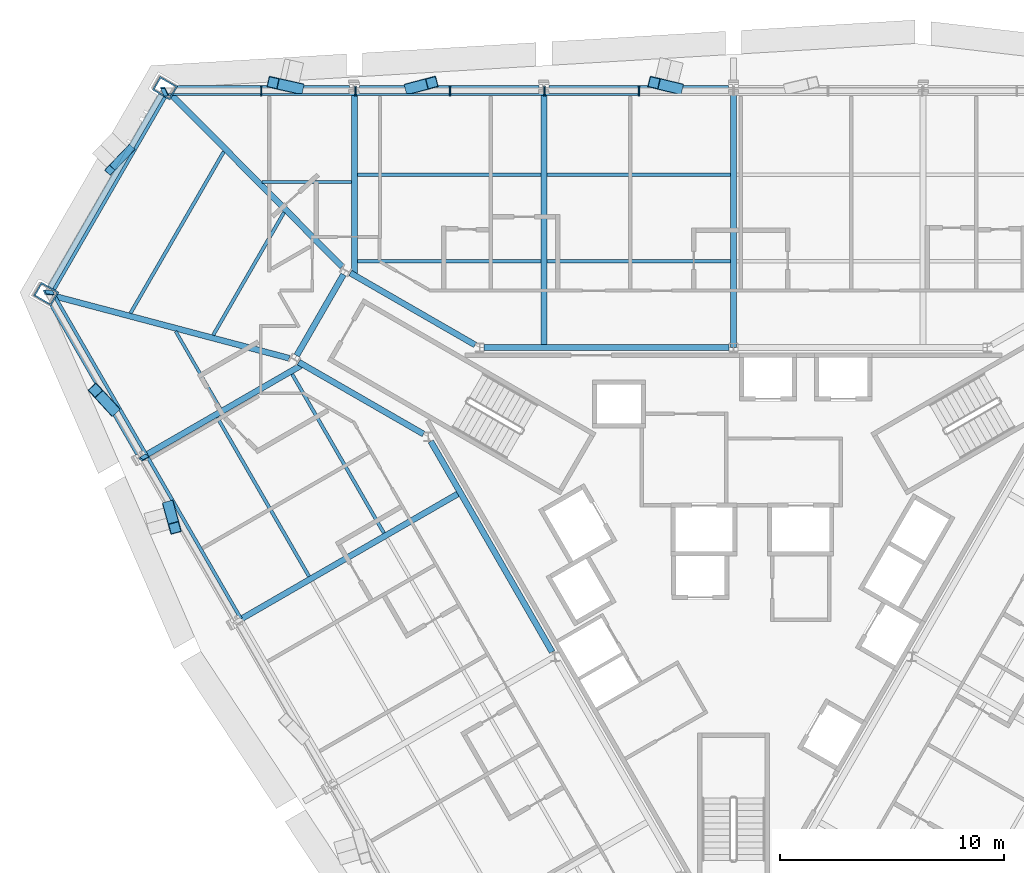
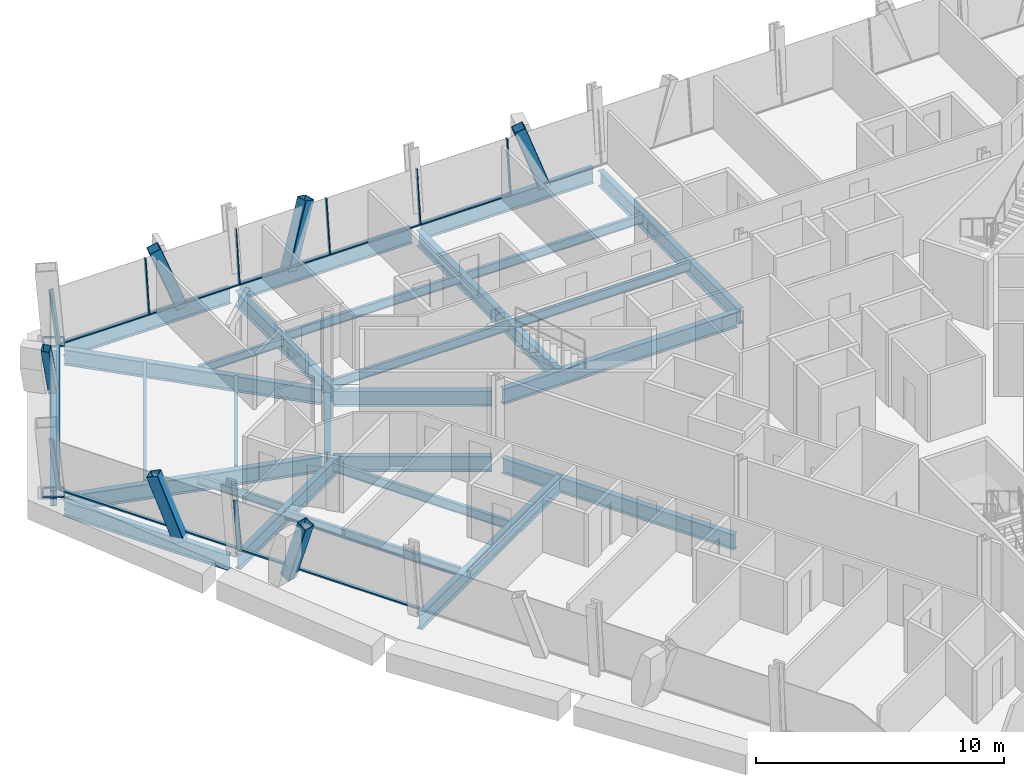
# One storey, part 4 of 15: 27 beams, 24 members, 3 elements without a shape of their own.
"""IFC4 building model written with IfcOpenShell, lengths in metres."""

from ifc_helpers import new_model, si_unit, direction, frame, origin, origin_2d, place, context, subcontext, project, spatial, rectangle, hollow_rectangle, i_section, extrude, material, material_profile, profile_set, type_object, element, aggregate, save


model = new_model("IFC4")

# Units and contexts
model_context = context("Model", 3, precision=1e-05, world=origin(), true_north=direction((0.0, 1.0)))
body_context = subcontext(model_context, "Body", "Model", "MODEL_VIEW")
ifc_project = project(units=[si_unit("LENGTHUNIT", "METRE"), si_unit("AREAUNIT", "SQUARE_METRE"), si_unit("VOLUMEUNIT", "CUBIC_METRE"), si_unit("PLANEANGLEUNIT", "RADIAN"), si_unit("MASSUNIT", "GRAM", prefix="KILO")], contexts=[model_context])

# Site, building, storey
site_placement = place(None, origin())
site = spatial("IfcSite", under=ifc_project, at=site_placement, CompositionType="ELEMENT")
building_placement = place(site_placement, origin())
building = spatial("IfcBuilding", under=site, at=building_placement, Name="Verrane Prism Tower", CompositionType="ELEMENT")
storey_placement = place(building_placement, frame((0.0, 0.0, 44.0)))
storey = spatial("IfcBuildingStorey", under=building, at=storey_placement, Name="L08", CompositionType="ELEMENT", Elevation=44.0)

# Member
ifc_material_1 = material(Name="Steel A500 Grade C", Category="steel")
ifc_material_profile_1 = material_profile(ifc_material_1, hollow_rectangle(XDim=0.355712890625, YDim=0.355712890625, WallThickness=0.0126953125, InnerFilletRadius=0.00634765625, OuterFilletRadius=0.01904296875, at=origin_2d()), Name="HSS14x14x1/2")
ifc_profile_set_1 = profile_set([ifc_material_profile_1], Name="Steel A500 Grade C")
member_type_1 = type_object("IfcMemberType", Name="Chamfer brace HSS14x14x1/2", PredefinedType="BRACE", material=ifc_profile_set_1)
member_1_placement = place(storey_placement, frame((-26.946044921875, 18.0400390625, -0.2451171875), z_axis=(-0.271486195866, -0.283524002954, 0.919733322873), x_axis=(0.722273594604, -0.691607442512, 0.0)))
element("IfcMember", 1, at=member_1_placement, inside=storey, type_object=member_type_1, Name="Chamfer brace NW0 L08", PredefinedType="BRACE", context=body_context, shape_type="SweptSolid", body=[
    extrude(hollow_rectangle(XDim=0.355712890625, YDim=0.355712890625, WallThickness=0.0126953125, InnerFilletRadius=0.00634765625, OuterFilletRadius=0.01904296875, at=origin_2d()), origin(), (0.0, 0.0, 1.0), 3.265380859375),
])

# Beams
ifc_material_2 = material(Name="Steel A992", Category="steel")
ifc_material_profile_2 = material_profile(ifc_material_2, i_section(OverallWidth=0.2666015625, OverallDepth=0.76708984375, WebThickness=0.014892578125, FlangeThickness=0.023681640625, FilletRadius=0.0166015625, at=origin_2d()), Name="W30x124")
ifc_profile_set_2 = profile_set([ifc_material_profile_2], Name="Steel A992")
beam_type_1 = type_object("IfcBeamType", Name="Chamfer spandrel beam W30x124", PredefinedType="SPANDREL", material=ifc_profile_set_2)
beam_1_placement = place(storey_placement, frame((-25.544921875, 20.466796875, -0.54345703125), z_axis=(-0.500011342071, -0.866018855338, 0.0), x_axis=(0.866018855338, -0.500011342071, 0.0)))
element("IfcBeam", 2, at=beam_1_placement, inside=storey, type_object=beam_type_1, Name="Chamfer spandrel beam L08", PredefinedType="SPANDREL", context=body_context, shape_type="SweptSolid", body=[
    extrude(i_section(OverallWidth=0.2666015625, OverallDepth=0.76708984375, WebThickness=0.014892578125, FlangeThickness=0.023681640625, FilletRadius=0.0166015625, at=origin_2d()), origin(), (0.0, 0.0, 1.0), 9.900146484375),
])
ifc_material_3 = material(Name="Steel A992", Category="steel")
ifc_material_profile_3 = material_profile(ifc_material_3, i_section(OverallWidth=0.2666015625, OverallDepth=0.7568359375, WebThickness=0.013916015625, FlangeThickness=0.019287109375, FilletRadius=0.0166015625, at=origin_2d()), Name="W30x108")
ifc_profile_set_3 = profile_set([ifc_material_profile_3], Name="Steel A992")
beam_type_2 = type_object("IfcBeamType", Name="Core ring girder W30x108", PredefinedType="BEAM", material=ifc_profile_set_3)
beam_2_placement = place(storey_placement, frame((-0.203125, 9.199951171875, -0.62841796875), z_axis=(-1.0, 0.0, 0.0), x_axis=(0.0, -1.0, 0.0)))
element("IfcBeam", 3, at=beam_2_placement, inside=storey, type_object=beam_type_2, Name="Core ring girder L08", PredefinedType="BEAM", context=body_context, shape_type="SweptSolid", body=[
    extrude(i_section(OverallWidth=0.2666015625, OverallDepth=0.7568359375, WebThickness=0.013916015625, FlangeThickness=0.019287109375, FilletRadius=0.0166015625, at=origin_2d()), origin(), (0.0, 0.0, 1.0), 10.923583984375),
])
beam_3_placement = place(storey_placement, frame((-11.533203125, 9.317138671875, -0.62841796875), z_axis=(-0.866447229751, 0.499268663203, 0.0), x_axis=(-0.499268663203, -0.866447229751, 0.0)))
element("IfcBeam", 4, at=beam_3_placement, inside=storey, type_object=beam_type_2, Name="Core ring girder L08", PredefinedType="BEAM", context=body_context, shape_type="SweptSolid", body=[
    extrude(i_section(OverallWidth=0.2666015625, OverallDepth=0.7568359375, WebThickness=0.013916015625, FlangeThickness=0.019287109375, FilletRadius=0.0166015625, at=origin_2d()), origin(), (0.0, 0.0, 1.0), 6.428466796875),
])
beam_4_placement = place(storey_placement, frame((-17.40478515625, 12.45849609375, -0.62841796875), z_axis=(-0.500349643494, -0.865823442888, 0.0), x_axis=(0.865823442888, -0.500349643494, 0.0)))
element("IfcBeam", 5, at=beam_4_placement, inside=storey, type_object=beam_type_2, Name="Core ring girder L08", PredefinedType="BEAM", context=body_context, shape_type="SweptSolid", body=[
    extrude(i_section(OverallWidth=0.2666015625, OverallDepth=0.7568359375, WebThickness=0.013916015625, FlangeThickness=0.019287109375, FilletRadius=0.0166015625, at=origin_2d()), origin(), (0.0, 0.0, 1.0), 4.177734375),
])
beam_5_placement = place(storey_placement, frame((-19.403076171875, 8.54638671875, -0.62841796875), z_axis=(0.86646365882, -0.499240150574, 0.0), x_axis=(0.499240150574, 0.86646365882, 0.0)))
element("IfcBeam", 6, at=beam_5_placement, inside=storey, type_object=beam_type_2, Name="Core ring girder L08", PredefinedType="BEAM", context=body_context, shape_type="SweptSolid", body=[
    extrude(i_section(OverallWidth=0.2666015625, OverallDepth=0.7568359375, WebThickness=0.013916015625, FlangeThickness=0.019287109375, FilletRadius=0.0166015625, at=origin_2d()), origin(), (0.0, 0.0, 1.0), 6.42822265625),
])
beam_6_placement = place(storey_placement, frame((-13.510009765625, 5.01171875, -0.62841796875), z_axis=(0.499371892062, -0.866387738498, 0.0), x_axis=(0.866387738498, 0.499371892062, 0.0)))
element("IfcBeam", 7, at=beam_6_placement, inside=storey, type_object=beam_type_2, Name="Core ring girder L08", PredefinedType="BEAM", context=body_context, shape_type="SweptSolid", body=[
    extrude(i_section(OverallWidth=0.2666015625, OverallDepth=0.7568359375, WebThickness=0.013916015625, FlangeThickness=0.019287109375, FilletRadius=0.0166015625, at=origin_2d()), origin(), (0.0, 0.0, 1.0), 10.853515625),
])
ifc_material_4 = material(Name="Steel A992", Category="steel")
ifc_material_profile_4 = material_profile(ifc_material_4, i_section(OverallWidth=0.2666015625, OverallDepth=0.76708984375, WebThickness=0.014892578125, FlangeThickness=0.023681640625, FilletRadius=0.0166015625, at=origin_2d()), Name="W30x124")
ifc_profile_set_4 = profile_set([ifc_material_profile_4], Name="Steel A992")
beam_type_3 = type_object("IfcBeamType", Name="Corner girder W30x124", PredefinedType="BEAM", material=ifc_profile_set_4)
beam_7_placement = place(storey_placement, frame((-25.04150390625, 20.43896484375, -0.603515625), z_axis=(0.704479617192, -0.709724220356, 0.0), x_axis=(0.709724220356, 0.704479617192, 0.0)))
element("IfcBeam", 8, at=beam_7_placement, inside=storey, type_object=beam_type_3, Name="Corner girder L08", PredefinedType="BEAM", context=body_context, shape_type="SweptSolid", body=[
    extrude(i_section(OverallWidth=0.2666015625, OverallDepth=0.76708984375, WebThickness=0.014892578125, FlangeThickness=0.023681640625, FilletRadius=0.0166015625, at=origin_2d()), origin(), (0.0, 0.0, 1.0), 10.753173828125),
])
beam_8_placement = place(storey_placement, frame((-30.21923828125, 11.470703125, -0.603515625), z_axis=(0.966710515477, -0.255872584047, 0.0), x_axis=(0.255872584047, 0.966710515477, 0.0)))
element("IfcBeam", 9, at=beam_8_placement, inside=storey, type_object=beam_type_3, Name="Corner girder L08", PredefinedType="BEAM", context=body_context, shape_type="SweptSolid", body=[
    extrude(i_section(OverallWidth=0.2666015625, OverallDepth=0.76708984375, WebThickness=0.014892578125, FlangeThickness=0.023681640625, FilletRadius=0.0166015625, at=origin_2d()), origin(), (0.0, 0.0, 1.0), 10.74951171875),
])

# Members
ifc_material_5 = material(Name="Steel A1085 Grade A", Category="steel")
ifc_material_profile_5 = material_profile(ifc_material_5, hollow_rectangle(XDim=0.508056640625, YDim=0.508056640625, WallThickness=0.025390625, InnerFilletRadius=0.0126953125, OuterFilletRadius=0.0380859375, at=origin_2d()), Name="HSS20x20x1")
ifc_profile_set_5 = profile_set([ifc_material_profile_5], Name="Steel A1085 Grade A")
member_type_2 = type_object("IfcMemberType", Name="Facade brace HSS20x20x1", PredefinedType="BRACE", material=ifc_profile_set_5)
member_2_placement = place(storey_placement, frame((-2.518310546875, 20.77001953125, -0.24267578125), z_axis=(-0.322257021008, 0.0781716366, 0.94341910498), x_axis=(-0.235738797585, -0.97181645351, 0.0)))
element("IfcMember", 10, at=member_2_placement, inside=storey, type_object=member_type_2, Name="Facade brace N3 L08", PredefinedType="BRACE", context=body_context, shape_type="SweptSolid", body=[
    extrude(hollow_rectangle(XDim=0.508056640625, YDim=0.508056640625, WallThickness=0.025390625, InnerFilletRadius=0.0126953125, OuterFilletRadius=0.0380859375, at=origin_2d()), origin(), (0.0, 0.0, 1.0), 3.188720703125),
])
member_3_placement = place(storey_placement, frame((-14.40966796875, 20.77001953125, -0.24267578125), z_axis=(0.29976338751, 0.078779515739, 0.950755330991), x_axis=(-0.254174685157, 0.967158326969, 0.0)))
element("IfcMember", 11, at=member_3_placement, inside=storey, type_object=member_type_2, Name="Facade brace N4 L08", PredefinedType="BRACE", context=body_context, shape_type="SweptSolid", body=[
    extrude(hollow_rectangle(XDim=0.508056640625, YDim=0.508056640625, WallThickness=0.025390625, InnerFilletRadius=0.0126953125, OuterFilletRadius=0.0380859375, at=origin_2d()), origin(), (0.0, 0.0, 1.0), 3.1640625),
])
member_4_placement = place(storey_placement, frame((-19.443115234375, 20.77001953125, -0.24267578125), z_axis=(-0.343950028265, 0.077538745608, 0.93578102192), x_axis=(-0.219917080703, -0.975518568565, 0.0)))
element("IfcMember", 12, at=member_4_placement, inside=storey, type_object=member_type_2, Name="Facade brace N5 L08", PredefinedType="BRACE", context=body_context, shape_type="SweptSolid", body=[
    extrude(hollow_rectangle(XDim=0.508056640625, YDim=0.508056640625, WallThickness=0.025390625, InnerFilletRadius=0.0126953125, OuterFilletRadius=0.0380859375, at=origin_2d()), origin(), (0.0, 0.0, 1.0), 3.21484375),
])
member_5_placement = place(storey_placement, frame((-27.7099609375, 6.45556640625, -0.24267578125), z_axis=(-0.238271330375, 0.259386864275, 0.93591945581), x_axis=(-0.736446565532, -0.676495717737, 0.0)))
element("IfcMember", 13, at=member_5_placement, inside=storey, type_object=member_type_2, Name="Facade brace SW0 L08", PredefinedType="BRACE", context=body_context, shape_type="SweptSolid", body=[
    extrude(hollow_rectangle(XDim=0.508056640625, YDim=0.508056640625, WallThickness=0.025390625, InnerFilletRadius=0.0126953125, OuterFilletRadius=0.0380859375, at=origin_2d()), origin(), (0.0, 0.0, 1.0), 3.21435546875),
])
member_6_placement = place(storey_placement, frame((-25.19482421875, 2.094970703125, -0.24267578125), z_axis=(0.082410447534, -0.298622127301, 0.950806680258), x_axis=(0.963966190973, 0.266024778284, 0.0)))
element("IfcMember", 14, at=member_6_placement, inside=storey, type_object=member_type_2, Name="Facade brace SW1 L08", PredefinedType="BRACE", context=body_context, shape_type="SweptSolid", body=[
    extrude(hollow_rectangle(XDim=0.508056640625, YDim=0.508056640625, WallThickness=0.025390625, InnerFilletRadius=0.0126953125, OuterFilletRadius=0.0380859375, at=origin_2d()), origin(), (0.0, 0.0, 1.0), 3.1640625),
])

# Beams
ifc_material_6 = material(Name="Steel A992", Category="steel")
ifc_material_profile_6 = material_profile(ifc_material_6, i_section(OverallWidth=0.140380859375, OverallDepth=0.40380859375, WebThickness=0.007080078125, FlangeThickness=0.01123046875, FilletRadius=0.01025390625, at=origin_2d()), Name="W16x31")
ifc_profile_set_6 = profile_set([ifc_material_profile_6], Name="Steel A992")
beam_type_4 = type_object("IfcBeamType", Name="Floor beam W16x31", PredefinedType="BEAM", material=ifc_profile_set_6)
beam_9_placement = place(storey_placement, frame((-21.03759765625, 16.594970703125, -0.36181640625), z_axis=(1.0, 0.0, 0.0), x_axis=(0.0, 1.0, 0.0)))
element("IfcBeam", 15, at=beam_9_placement, inside=storey, type_object=beam_type_4, Name="Floor beam L08", PredefinedType="BEAM", context=body_context, shape_type="SweptSolid", body=[
    extrude(i_section(OverallWidth=0.140380859375, OverallDepth=0.40380859375, WebThickness=0.007080078125, FlangeThickness=0.01123046875, FilletRadius=0.01025390625, at=origin_2d()), origin(), (0.0, 0.0, 1.0), 3.984130859375),
])
beam_10_placement = place(storey_placement, frame((-22.90185546875, 6.470703125, -0.36181640625), z_axis=(-0.500005166599, 0.866022420826, 0.0), x_axis=(-0.866022420826, -0.500005166599, 0.0)))
element("IfcBeam", 16, at=beam_10_placement, inside=storey, type_object=beam_type_4, Name="Floor beam L08", PredefinedType="BEAM", context=body_context, shape_type="SweptSolid", body=[
    extrude(i_section(OverallWidth=0.140380859375, OverallDepth=0.40380859375, WebThickness=0.007080078125, FlangeThickness=0.01123046875, FilletRadius=0.01025390625, at=origin_2d()), origin(), (0.0, 0.0, 1.0), 3.98681640625),
])
ifc_material_7 = material(Name="Steel A992", Category="steel")
ifc_material_profile_7 = material_profile(ifc_material_7, i_section(OverallWidth=0.15234375, OverallDepth=0.449462890625, WebThickness=0.007568359375, FlangeThickness=0.0107421875, FilletRadius=0.01025390625, at=origin_2d()), Name="W18x35")
ifc_profile_set_7 = profile_set([ifc_material_profile_7], Name="Steel A992")
beam_type_5 = type_object("IfcBeamType", Name="Floor beam W18x35", PredefinedType="BEAM", material=ifc_profile_set_7)
for number, where, z_axis, x_axis, name in (
    (17, (-8.326416015625, 13.056640625, -0.384765625), (1.0, 0.0, 0.0), (0.0, 1.0, 0.0), "Floor beam L08"),
    (18, (-8.326416015625, 16.913330078125, -0.384765625), (1.0, 0.0, 0.0), (0.0, 1.0, 0.0), "Floor beam L08"),
):
    element("IfcBeam", number, at=place(storey_placement, frame(where, z_axis=z_axis, x_axis=x_axis)), inside=storey, type_object=beam_type_5, Name=name, PredefinedType="BEAM", context=body_context, shape_type="SweptSolid", body=[
        extrude(i_section(OverallWidth=0.15234375, OverallDepth=0.449462890625, WebThickness=0.007568359375, FlangeThickness=0.0107421875, FilletRadius=0.01025390625, at=origin_2d()), origin(), (0.0, 0.0, 1.0), 8.19287109375),
    ])
for number, where, z_axis, x_axis, name in (
    (19, (-16.78662109375, 13.056640625, -0.384765625), (1.0, 0.0, 0.0), (0.0, 1.0, 0.0), "Floor beam L08"),
    (20, (-16.78662109375, 16.913330078125, -0.384765625), (1.0, 0.0, 0.0), (0.0, 1.0, 0.0), "Floor beam L08"),
    (21, (-15.60009765625, 0.91552734375, -0.384765625), (-0.49998813555, 0.86603225362, 0.0), (-0.86603225362, -0.49998813555, 0.0), "Floor beam L08"),
):
    element("IfcBeam", number, at=place(storey_placement, frame(where, z_axis=z_axis, x_axis=x_axis)), inside=storey, type_object=beam_type_5, Name=name, PredefinedType="BEAM", context=body_context, shape_type="SweptSolid", body=[
        extrude(i_section(OverallWidth=0.15234375, OverallDepth=0.449462890625, WebThickness=0.007568359375, FlangeThickness=0.0107421875, FilletRadius=0.01025390625, at=origin_2d()), origin(), (0.0, 0.0, 1.0), 8.193115234375),
    ])
beam_11_placement = place(storey_placement, frame((-18.943359375, -1.014404296875, -0.384765625), z_axis=(-0.500013012896, 0.866017890655, 0.0), x_axis=(-0.866017890655, -0.500013012896, 0.0)))
element("IfcBeam", 22, at=beam_11_placement, inside=storey, type_object=beam_type_5, Name="Floor beam L08", PredefinedType="BEAM", context=body_context, shape_type="SweptSolid", body=[
    extrude(i_section(OverallWidth=0.15234375, OverallDepth=0.449462890625, WebThickness=0.007568359375, FlangeThickness=0.0107421875, FilletRadius=0.01025390625, at=origin_2d()), origin(), (0.0, 0.0, 1.0), 8.194580078125),
])
beam_12_placement = place(storey_placement, frame((-23.219482421875, 9.756103515625, -0.384765625), z_axis=(0.499989926711, 0.866031219522, 0.0), x_axis=(-0.866031219522, 0.499989926711, 0.0)))
element("IfcBeam", 23, at=beam_12_placement, inside=storey, type_object=beam_type_5, Name="Floor beam L08", PredefinedType="BEAM", context=body_context, shape_type="SweptSolid", body=[
    extrude(i_section(OverallWidth=0.15234375, OverallDepth=0.449462890625, WebThickness=0.007568359375, FlangeThickness=0.0107421875, FilletRadius=0.01025390625, at=origin_2d()), origin(), (0.0, 0.0, 1.0), 6.321044921875),
])
beam_13_placement = place(storey_placement, frame((-26.910400390625, 10.73291015625, -0.384765625), z_axis=(0.500000939553, 0.866024861332, 0.0), x_axis=(-0.866024861332, 0.500000939553, 0.0)))
element("IfcBeam", 24, at=beam_13_placement, inside=storey, type_object=beam_type_5, Name="Floor beam L08", PredefinedType="BEAM", context=body_context, shape_type="SweptSolid", body=[
    extrude(i_section(OverallWidth=0.15234375, OverallDepth=0.449462890625, WebThickness=0.007568359375, FlangeThickness=0.0107421875, FilletRadius=0.01025390625, at=origin_2d()), origin(), (0.0, 0.0, 1.0), 8.322265625),
])

# Members
ifc_material_8 = material(Name="Steel A572 Grade 50", Category="steel")
ifc_material_profile_8 = material_profile(ifc_material_8, hollow_rectangle(XDim=0.699951171875, YDim=0.89990234375, WallThickness=0.06494140625, at=origin_2d()), Name="BOX 900x700x65")
ifc_profile_set_8 = profile_set([ifc_material_profile_8], Name="Steel A572 Grade 50")
member_type_3 = type_object("IfcMemberType", Name="Kink node BOX 900x700x65", PredefinedType="COLLAR", material=ifc_profile_set_8)
for number, where, z_axis, x_axis, name in (
    (25, (-25.37109375, 20.771728515625, -0.0400390625), (0.0, 0.0, 1.0), (0.5, 0.866025403784, 0.0), "Kink node MC3 L08"),
    (26, (-30.672119140625, 11.590087890625, -0.0400390625), (0.0, 0.0, 1.0), (0.5, 0.866025403784, 0.0), "Kink node MC3 L08"),
):
    element("IfcMember", number, at=place(storey_placement, frame(where, z_axis=z_axis, x_axis=x_axis)), inside=storey, type_object=member_type_3, Name=name, PredefinedType="COLLAR", context=body_context, shape_type="SweptSolid", body=[
        extrude(hollow_rectangle(XDim=0.699951171875, YDim=0.89990234375, WallThickness=0.06494140625, at=origin_2d()), origin(), (0.0, 0.0, 1.0), 0.080078125),
    ])

# Curtain wall, members
ifc_material_9 = material(Name="Aluminium framed insulated glazing", Category="aluminium")
curtain_wall_type_1 = type_object("IfcCurtainWallType", Name="Curtain wall CW-C 4200 module", PredefinedType="NOTDEFINED", material=ifc_material_9)
curtain_wall_1_placement = place(storey_placement, origin())
curtain_wall_1 = element("IfcCurtainWall", 27, at=curtain_wall_1_placement, inside=storey, type_object=curtain_wall_type_1, Name="Glazed curtain wall north face L08", PredefinedType="NOTDEFINED")
ifc_material_10 = material(Name="Aluminium alloy 6063-T6", Category="aluminium")
ifc_material_profile_9 = material_profile(ifc_material_10, rectangle(XDim=0.139892578125, YDim=0.050048828125, at=origin_2d()), Name="Mullion 50x140 aluminium")
ifc_profile_set_9 = profile_set([ifc_material_profile_9], Name="Aluminium alloy 6063-T6")
member_type_4 = type_object("IfcMemberType", Name="Mullion 50x140 aluminium", PredefinedType="MULLION", material=ifc_profile_set_9)
member_7_placement = place(storey_placement, frame((-4.217041015625, 20.490966796875, 0.0), z_axis=(0.0, 0.114088521093, 0.993470588067), x_axis=(0.0, 0.993470588067, -0.114088521093)))
member_7 = element("IfcMember", 28, at=member_7_placement, type_object=member_type_4, Name="CW06.2 mullion 8", PredefinedType="MULLION", context=body_context, shape_type="SweptSolid", body=[
    extrude(rectangle(XDim=0.139892578125, YDim=0.050048828125, at=origin_2d()), origin(), (0.0, 0.0, 1.0), 2.6298828125),
])
member_8_placement = place(storey_placement, frame((-8.433837890625, 20.490966796875, 0.0), z_axis=(0.0, 0.114088521093, 0.993470588067), x_axis=(0.0, 0.993470588067, -0.114088521093)))
member_8 = element("IfcMember", 29, at=member_8_placement, type_object=member_type_4, Name="CW06.2 mullion 9", PredefinedType="MULLION", context=body_context, shape_type="SweptSolid", body=[
    extrude(rectangle(XDim=0.139892578125, YDim=0.050048828125, at=origin_2d()), origin(), (0.0, 0.0, 1.0), 2.6298828125),
])
member_9_placement = place(storey_placement, frame((-12.65087890625, 20.490966796875, 0.0), z_axis=(0.0, 0.114088521093, 0.993470588067), x_axis=(0.0, 0.993470588067, -0.114088521093)))
member_9 = element("IfcMember", 30, at=member_9_placement, type_object=member_type_4, Name="CW06.2 mullion 10", PredefinedType="MULLION", context=body_context, shape_type="SweptSolid", body=[
    extrude(rectangle(XDim=0.139892578125, YDim=0.050048828125, at=origin_2d()), origin(), (0.0, 0.0, 1.0), 2.6298828125),
])
member_10_placement = place(storey_placement, frame((-16.86767578125, 20.490966796875, 0.0), z_axis=(0.0, 0.114088521093, 0.993470588067), x_axis=(0.0, 0.993470588067, -0.114088521093)))
member_10 = element("IfcMember", 31, at=member_10_placement, type_object=member_type_4, Name="CW06.2 mullion 11", PredefinedType="MULLION", context=body_context, shape_type="SweptSolid", body=[
    extrude(rectangle(XDim=0.139892578125, YDim=0.050048828125, at=origin_2d()), origin(), (0.0, 0.0, 1.0), 2.6298828125),
])
member_11_placement = place(storey_placement, frame((-21.084716796875, 20.490966796875, 0.0), z_axis=(0.0, 0.114088521093, 0.993470588067), x_axis=(0.0, 0.993470588067, -0.114088521093)))
member_11 = element("IfcMember", 32, at=member_11_placement, type_object=member_type_4, Name="CW06.2 mullion 12", PredefinedType="MULLION", context=body_context, shape_type="SweptSolid", body=[
    extrude(rectangle(XDim=0.139892578125, YDim=0.050048828125, at=origin_2d()), origin(), (0.0, 0.0, 1.0), 2.6298828125),
])

# Curtain wall, member
ifc_material_11 = material(Name="Aluminium framed insulated glazing", Category="aluminium")
curtain_wall_type_2 = type_object("IfcCurtainWallType", Name="Curtain wall CW-A 8400 module", PredefinedType="NOTDEFINED", material=ifc_material_11)
curtain_wall_2_placement = place(storey_placement, origin())
curtain_wall_2 = element("IfcCurtainWall", 33, at=curtain_wall_2_placement, inside=storey, type_object=curtain_wall_type_2, Name="Glazed curtain wall north-west corner L08", PredefinedType="NOTDEFINED")
ifc_material_12 = material(Name="Aluminium alloy 6063-T6", Category="aluminium")
ifc_material_profile_10 = material_profile(ifc_material_12, rectangle(XDim=0.199951171875, YDim=0.070068359375, at=origin_2d()), Name="Mullion 70x200 aluminium")
ifc_profile_set_10 = profile_set([ifc_material_profile_10], Name="Aluminium alloy 6063-T6")
member_type_5 = type_object("IfcMemberType", Name="Mullion 70x200 aluminium", PredefinedType="MULLION", material=ifc_profile_set_10)
member_12_placement = place(storey_placement, frame((-25.319091796875, 20.460693359375, 0.0), z_axis=(-0.059133283326, 0.125207092864, 0.990366820274), x_axis=(-0.99455297634, 0.077916926912, -0.069233877219)))
member_12 = element("IfcMember", 34, at=member_12_placement, type_object=member_type_5, Name="CW06.3 mullion 1", PredefinedType="MULLION", context=body_context, shape_type="SweptSolid", body=[
    extrude(rectangle(XDim=0.199951171875, YDim=0.070068359375, at=origin_2d()), origin(), (0.0, 0.0, 1.0), 2.63818359375),
])

# Curtain wall, members
curtain_wall_3_placement = place(storey_placement, origin())
curtain_wall_3 = element("IfcCurtainWall", 35, at=curtain_wall_3_placement, inside=storey, type_object=curtain_wall_type_2, Name="Glazed curtain wall south-west face L08", PredefinedType="NOTDEFINED")
member_13_placement = place(storey_placement, frame((-30.37890625, 11.635986328125, 0.0), z_axis=(-0.138068421975, 0.011659933759, 0.990354056284), x_axis=(0.420544369135, -0.904622967579, 0.069280012396)))
member_13 = element("IfcMember", 36, at=member_13_placement, type_object=member_type_5, Name="CW06.4 mullion 1", PredefinedType="MULLION", context=body_context, shape_type="SweptSolid", body=[
    extrude(rectangle(XDim=0.199951171875, YDim=0.070068359375, at=origin_2d()), origin(), (0.0, 0.0, 1.0), 2.63818359375),
])
member_14_placement = place(storey_placement, frame((-26.1796875, 4.3623046875, 0.0), z_axis=(-0.098772084644, -0.056998176665, 0.993476362654), x_axis=(0.863094510418, -0.501813392173, 0.057019168033)))
member_14 = element("IfcMember", 37, at=member_14_placement, type_object=member_type_5, Name="CW06.4 mullion 2", PredefinedType="MULLION", context=body_context, shape_type="SweptSolid", body=[
    extrude(rectangle(XDim=0.199951171875, YDim=0.070068359375, at=origin_2d()), origin(), (0.0, 0.0, 1.0), 2.6298828125),
])

# Beams
ifc_material_13 = material(Name="Steel A992", Category="steel")
ifc_material_profile_11 = material_profile(ifc_material_13, i_section(OverallWidth=0.2666015625, OverallDepth=0.76708984375, WebThickness=0.014892578125, FlangeThickness=0.023681640625, FilletRadius=0.0166015625, at=origin_2d()), Name="W30x124")
ifc_profile_set_11 = profile_set([ifc_material_profile_11], Name="Steel A992")
beam_type_6 = type_object("IfcBeamType", Name="Radial girder W30x124", PredefinedType="BEAM", material=ifc_profile_set_11)
for number, where, z_axis, x_axis, name in (
    (38, (0.0, 20.504638671875, -0.603515625), (0.0, -1.0, 0.0), (1.0, 0.0, 0.0), "Radial girder L08"),
    (39, (-8.4599609375, 20.504638671875, -0.603515625), (0.0, -1.0, 0.0), (1.0, 0.0, 0.0), "Radial girder L08"),
):
    element("IfcBeam", number, at=place(storey_placement, frame(where, z_axis=z_axis, x_axis=x_axis)), inside=storey, type_object=beam_type_6, Name=name, PredefinedType="BEAM", context=body_context, shape_type="SweptSolid", body=[
        extrude(i_section(OverallWidth=0.2666015625, OverallDepth=0.76708984375, WebThickness=0.014892578125, FlangeThickness=0.023681640625, FilletRadius=0.0166015625, at=origin_2d()), origin(), (0.0, 0.0, 1.0), 11.3046875),
    ])
beam_14_placement = place(storey_placement, frame((-16.919921875, 20.504638671875, -0.603515625), z_axis=(0.0, -1.0, 0.0), x_axis=(1.0, 0.0, 0.0)))
element("IfcBeam", 40, at=beam_14_placement, inside=storey, type_object=beam_type_6, Name="Radial girder L08", PredefinedType="BEAM", context=body_context, shape_type="SweptSolid", body=[
    extrude(i_section(OverallWidth=0.2666015625, OverallDepth=0.76708984375, WebThickness=0.014892578125, FlangeThickness=0.023681640625, FilletRadius=0.0166015625, at=origin_2d()), origin(), (0.0, 0.0, 1.0), 8.083740234375),
])
beam_15_placement = place(storey_placement, frame((-26.22021484375, 4.402587890625, -0.603515625), z_axis=(0.866018025241, 0.500012779794, 0.0), x_axis=(-0.500012779794, 0.866018025241, 0.0)))
element("IfcBeam", 41, at=beam_15_placement, inside=storey, type_object=beam_type_6, Name="Radial girder L08", PredefinedType="BEAM", context=body_context, shape_type="SweptSolid", body=[
    extrude(i_section(OverallWidth=0.2666015625, OverallDepth=0.76708984375, WebThickness=0.014892578125, FlangeThickness=0.023681640625, FilletRadius=0.0166015625, at=origin_2d()), origin(), (0.0, 0.0, 1.0), 8.079833984375),
])
beam_16_placement = place(storey_placement, frame((-21.989990234375, -2.92724609375, -0.603515625), z_axis=(0.866021685936, 0.500006439447, 0.0), x_axis=(-0.500006439447, 0.866021685936, 0.0)))
element("IfcBeam", 42, at=beam_16_placement, inside=storey, type_object=beam_type_6, Name="Radial girder L08", PredefinedType="BEAM", context=body_context, shape_type="SweptSolid", body=[
    extrude(i_section(OverallWidth=0.2666015625, OverallDepth=0.76708984375, WebThickness=0.014892578125, FlangeThickness=0.023681640625, FilletRadius=0.0166015625, at=origin_2d()), origin(), (0.0, 0.0, 1.0), 11.311279296875),
])
ifc_material_14 = material(Name="Steel A992", Category="steel")
ifc_material_profile_12 = material_profile(ifc_material_14, i_section(OverallWidth=0.2666015625, OverallDepth=0.7568359375, WebThickness=0.013916015625, FlangeThickness=0.019287109375, FilletRadius=0.0166015625, at=origin_2d()), Name="W30x108")
ifc_profile_set_12 = profile_set([ifc_material_profile_12], Name="Steel A992")
beam_type_7 = type_object("IfcBeamType", Name="Spandrel beam W30x108", PredefinedType="SPANDREL", material=ifc_profile_set_12)
for number, where, z_axis, x_axis, name in (
    (43, (-0.220947265625, 20.77001953125, -0.53857421875), (-1.0, 0.0, 0.0), (0.0, -1.0, 0.0), "Spandrel beam L08"),
    (44, (-8.680908203125, 20.77001953125, -0.53857421875), (-1.0, 0.0, 0.0), (0.0, -1.0, 0.0), "Spandrel beam L08"),
):
    element("IfcBeam", number, at=place(storey_placement, frame(where, z_axis=z_axis, x_axis=x_axis)), inside=storey, type_object=beam_type_7, Name=name, PredefinedType="SPANDREL", context=body_context, shape_type="SweptSolid", body=[
        extrude(i_section(OverallWidth=0.2666015625, OverallDepth=0.7568359375, WebThickness=0.013916015625, FlangeThickness=0.019287109375, FilletRadius=0.0166015625, at=origin_2d()), origin(), (0.0, 0.0, 1.0), 8.01806640625),
    ])
beam_17_placement = place(storey_placement, frame((-17.14111328125, 20.77001953125, -0.53857421875), z_axis=(-1.0, 0.0, 0.0), x_axis=(0.0, -1.0, 0.0)))
element("IfcBeam", 45, at=beam_17_placement, inside=storey, type_object=beam_type_7, Name="Spandrel beam L08", PredefinedType="SPANDREL", context=body_context, shape_type="SweptSolid", body=[
    extrude(i_section(OverallWidth=0.2666015625, OverallDepth=0.7568359375, WebThickness=0.013916015625, FlangeThickness=0.019287109375, FilletRadius=0.0166015625, at=origin_2d()), origin(), (0.0, 0.0, 1.0), 7.709228515625),
])
beam_18_placement = place(storey_placement, frame((-30.410400390625, 11.1396484375, -0.53857421875), z_axis=(0.499457388948, -0.866338453854, 0.0), x_axis=(0.866338453854, 0.499457388948, 0.0)))
element("IfcBeam", 46, at=beam_18_placement, inside=storey, type_object=beam_type_7, Name="Spandrel beam L08", PredefinedType="SPANDREL", context=body_context, shape_type="SweptSolid", body=[
    extrude(i_section(OverallWidth=0.2666015625, OverallDepth=0.7568359375, WebThickness=0.013916015625, FlangeThickness=0.019287109375, FilletRadius=0.0166015625, at=origin_2d()), origin(), (0.0, 0.0, 1.0), 7.70849609375),
])

# Member
ifc_material_15 = material(Name="Aluminium alloy 6063-T6", Category="aluminium")
ifc_material_profile_13 = material_profile(ifc_material_15, rectangle(XDim=0.10009765625, YDim=0.050048828125, at=origin_2d()), Name="Transom 50x100 aluminium")
ifc_profile_set_13 = profile_set([ifc_material_profile_13], Name="Aluminium alloy 6063-T6")
member_type_6 = type_object("IfcMemberType", Name="Transom 50x100 aluminium", PredefinedType="USERDEFINED", material=ifc_profile_set_13)
member_15_placement = place(storey_placement, frame((-4.241943359375, 20.490966796875, 0.02490234375), z_axis=(-1.0, 0.0, 0.0), x_axis=(0.0, -1.0, 0.0)))
member_15 = element("IfcMember", 47, at=member_15_placement, type_object=member_type_6, Name="CW06.2 transom 8", ObjectType="TRANSOM", PredefinedType="USERDEFINED", context=body_context, shape_type="SweptSolid", body=[
    extrude(rectangle(XDim=0.10009765625, YDim=0.050048828125, at=origin_2d()), origin(), (0.0, 0.0, 1.0), 4.1669921875),
])

member_16_placement = place(storey_placement, frame((-8.458984375, 20.490966796875, 0.02490234375), z_axis=(-1.0, 0.0, 0.0), x_axis=(0.0, -1.0, 0.0)))
member_16 = element("IfcMember", 48, at=member_16_placement, type_object=member_type_6, Name="CW06.2 transom 9", ObjectType="TRANSOM", PredefinedType="USERDEFINED", context=body_context, shape_type="SweptSolid", body=[
    extrude(rectangle(XDim=0.10009765625, YDim=0.050048828125, at=origin_2d()), origin(), (0.0, 0.0, 1.0), 4.166748046875),
])

member_17_placement = place(storey_placement, frame((-12.67578125, 20.490966796875, 0.02490234375), z_axis=(-1.0, 0.0, 0.0), x_axis=(0.0, -1.0, 0.0)))
member_17 = element("IfcMember", 49, at=member_17_placement, type_object=member_type_6, Name="CW06.2 transom 10", ObjectType="TRANSOM", PredefinedType="USERDEFINED", context=body_context, shape_type="SweptSolid", body=[
    extrude(rectangle(XDim=0.10009765625, YDim=0.050048828125, at=origin_2d()), origin(), (0.0, 0.0, 1.0), 4.1669921875),
])

member_18_placement = place(storey_placement, frame((-16.892822265625, 20.490966796875, 0.02490234375), z_axis=(-1.0, 0.0, 0.0), x_axis=(0.0, -1.0, 0.0)))
member_18 = element("IfcMember", 50, at=member_18_placement, type_object=member_type_6, Name="CW06.2 transom 11", ObjectType="TRANSOM", PredefinedType="USERDEFINED", context=body_context, shape_type="SweptSolid", body=[
    extrude(rectangle(XDim=0.10009765625, YDim=0.050048828125, at=origin_2d()), origin(), (0.0, 0.0, 1.0), 4.166748046875),
])

member_19_placement = place(storey_placement, frame((-21.109619140625, 20.490966796875, 0.02490234375), z_axis=(-1.0, 0.0, 0.0), x_axis=(0.0, -1.0, 0.0)))
member_19 = element("IfcMember", 51, at=member_19_placement, type_object=member_type_6, Name="CW06.2 transom 12", ObjectType="TRANSOM", PredefinedType="USERDEFINED", context=body_context, shape_type="SweptSolid", body=[
    extrude(rectangle(XDim=0.10009765625, YDim=0.050048828125, at=origin_2d()), origin(), (0.0, 0.0, 1.0), 4.19189453125),
])

aggregate(curtain_wall_1, [member_7, member_8, member_9, member_10, member_11, member_15, member_16, member_17, member_18, member_19])

ifc_material_16 = material(Name="Aluminium alloy 6063-T6", Category="aluminium")
ifc_material_profile_14 = material_profile(ifc_material_16, rectangle(XDim=0.14990234375, YDim=0.070068359375, at=origin_2d()), Name="Transom 70x150 aluminium")
ifc_profile_set_14 = profile_set([ifc_material_profile_14], Name="Aluminium alloy 6063-T6")
member_type_7 = type_object("IfcMemberType", Name="Transom 70x150 aluminium", PredefinedType="USERDEFINED", material=ifc_profile_set_14)
member_20_placement = place(storey_placement, frame((-25.336669921875, 20.430419921875, 0.034912109375), z_axis=(-0.499986973201, -0.86603292468, 0.0), x_axis=(0.86603292468, -0.499986973201, 0.0)))
member_20 = element("IfcMember", 52, at=member_20_placement, type_object=member_type_7, Name="CW06.3 transom 1", ObjectType="TRANSOM", PredefinedType="USERDEFINED", context=body_context, shape_type="SweptSolid", body=[
    extrude(rectangle(XDim=0.14990234375, YDim=0.070068359375, at=origin_2d()), origin(), (0.0, 0.0, 1.0), 10.119873046875),
])

aggregate(curtain_wall_2, [member_12, member_20])

member_21_placement = place(storey_placement, frame((-30.361572265625, 11.605712890625, 0.034912109375), z_axis=(0.500004095543, -0.866023039209, 0.0), x_axis=(0.866023039209, 0.500004095543, 0.0)))
member_21 = element("IfcMember", 53, at=member_21_placement, type_object=member_type_7, Name="CW06.4 transom 1", ObjectType="TRANSOM", PredefinedType="USERDEFINED", context=body_context, shape_type="SweptSolid", body=[
    extrude(rectangle(XDim=0.14990234375, YDim=0.070068359375, at=origin_2d()), origin(), (0.0, 0.0, 1.0), 8.3291015625),
])

member_22_placement = place(storey_placement, frame((-26.162109375, 4.33203125, 0.034912109375), z_axis=(0.499991130599, -0.866030524475, 0.0), x_axis=(0.866030524475, 0.499991130599, 0.0)))
member_22 = element("IfcMember", 54, at=member_22_placement, type_object=member_type_7, Name="CW06.4 transom 2", ObjectType="TRANSOM", PredefinedType="USERDEFINED", context=body_context, shape_type="SweptSolid", body=[
    extrude(rectangle(XDim=0.14990234375, YDim=0.070068359375, at=origin_2d()), origin(), (0.0, 0.0, 1.0), 8.364013671875),
])

aggregate(curtain_wall_3, [member_13, member_14, member_21, member_22])

save(model, "model.ifc")
